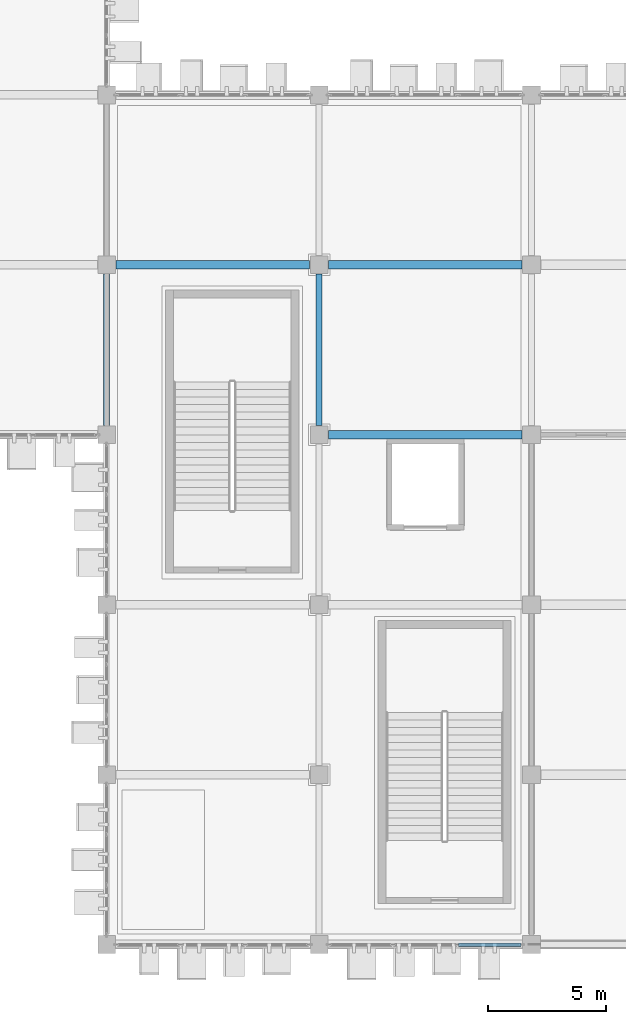
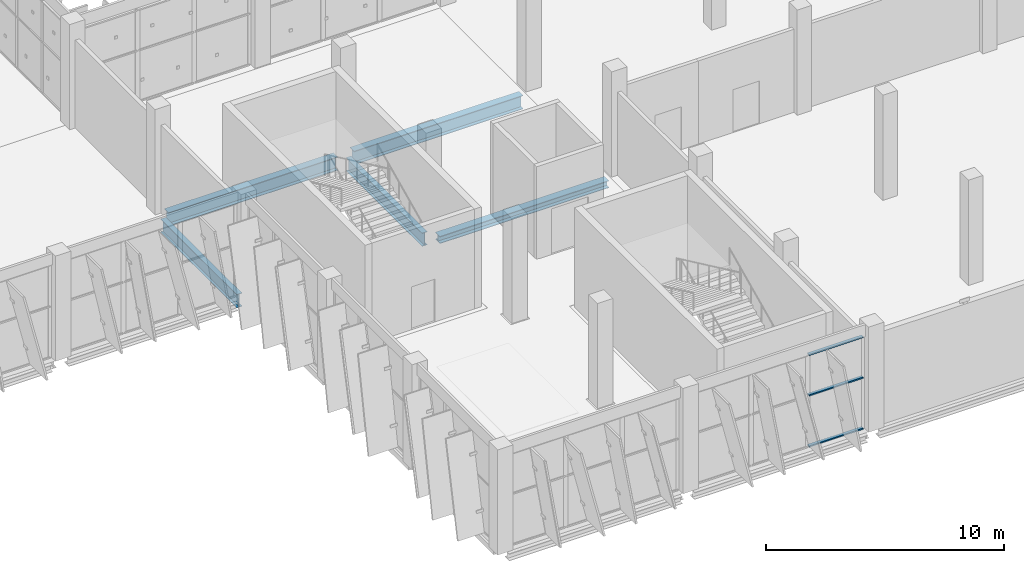
# One storey, part 48 of 189: 5 beams, 3 members, 1 element without a shape of its own.
"""IFC4 building model written with IfcOpenShell, lengths in metres."""

from ifc_helpers import new_model, si_unit, direction, frame, origin, origin_2d, place, context, subcontext, project, spatial, hollow_rectangle, i_section, extrude, material, layer, layer_set, material_profile, profile_set, type_object, element, aggregate, save


model = new_model("IFC4")

# Units and contexts
model_context = context("Model", 3, precision=1e-05, world=origin(), true_north=direction((0.0, 1.0)))
body_context = subcontext(model_context, "Body", "Model", "MODEL_VIEW")
ifc_project = project(units=[si_unit("LENGTHUNIT", "METRE"), si_unit("AREAUNIT", "SQUARE_METRE"), si_unit("VOLUMEUNIT", "CUBIC_METRE"), si_unit("PLANEANGLEUNIT", "RADIAN"), si_unit("MASSUNIT", "GRAM", prefix="KILO")], contexts=[model_context])

# Site, building, storey
site_placement = place(None, origin())
site = spatial("IfcSite", under=ifc_project, at=site_placement, CompositionType="ELEMENT")
building_placement = place(site_placement, origin())
building = spatial("IfcBuilding", under=site, at=building_placement, Name="Celestram Park Convention Centre", CompositionType="ELEMENT")
storey_placement = place(building_placement, frame((0.0, 0.0, 5.39990234375)))
storey = spatial("IfcBuildingStorey", under=building, at=storey_placement, Name="L01", CompositionType="ELEMENT", Elevation=5.39990234375)

# Curtain wall, members
ifc_material_1 = material(Name="Anodised Aluminium Alloy 6063-T6", Category="aluminium")
ifc_layer = layer(ifc_material_1, 0.179931640625)
ifc_layer_set = layer_set([ifc_layer], Name="Anodised Aluminium Alloy 6063-T6")
curtain_wall_type = type_object("IfcCurtainWallType", Name="ARC-CW-825X476", PredefinedType="NOTDEFINED", material=ifc_layer_set)
curtain_wall_placement = place(storey_placement, origin())
curtain_wall = element("IfcCurtainWall", 1, at=curtain_wall_placement, inside=storey, type_object=curtain_wall_type, Name="Unitised curtain wall CU-L01-111", PredefinedType="NOTDEFINED")
ifc_material_profile_1 = material_profile(ifc_material_1, hollow_rectangle(XDim=0.14990234375, YDim=0.06494140625, WallThickness=0.0029296875, at=origin_2d()), Name="ALU150X65X3")
ifc_profile_set_1 = profile_set([ifc_material_profile_1], Name="Anodised Aluminium Alloy 6063-T6")
member_type = type_object("IfcMemberType", Name="ARC-CWT-150", PredefinedType="USERDEFINED", material=ifc_profile_set_1)
member_1_placement = place(storey_placement, frame((161.552001953125, 0.0, 0.03271484375), z_axis=(-1.0, 0.0, 0.0), x_axis=(0.0, -1.0, 0.0)))
member_1 = element("IfcMember", 2, at=member_1_placement, type_object=member_type, Name="CW-82X47 transom 1.1", ObjectType="TRANSOM", PredefinedType="USERDEFINED", context=body_context, shape_type="SweptSolid", body=[
    extrude(hollow_rectangle(XDim=0.14990234375, YDim=0.06494140625, WallThickness=0.0029296875, at=origin_2d()), origin(), (0.0, 0.0, 1.0), 2.638916015625),
])
member_2_placement = place(storey_placement, frame((161.552001953125, 0.0, 2.650146484375), z_axis=(-1.0, 0.0, 0.0), x_axis=(0.0, -1.0, 0.0)))
member_2 = element("IfcMember", 3, at=member_2_placement, type_object=member_type, Name="CW-82X47 transom 1.2", ObjectType="TRANSOM", PredefinedType="USERDEFINED", context=body_context, shape_type="SweptSolid", body=[
    extrude(hollow_rectangle(XDim=0.14990234375, YDim=0.06494140625, WallThickness=0.0029296875, at=origin_2d()), origin(), (0.0, 0.0, 1.0), 2.638916015625),
])
member_3_placement = place(storey_placement, frame((161.552001953125, 0.0, 4.731689453125), z_axis=(-1.0, 0.0, 0.0), x_axis=(0.0, -1.0, 0.0)))
member_3 = element("IfcMember", 4, at=member_3_placement, type_object=member_type, Name="CW-82X47 transom 1.3", ObjectType="TRANSOM", PredefinedType="USERDEFINED", context=body_context, shape_type="SweptSolid", body=[
    extrude(hollow_rectangle(XDim=0.14990234375, YDim=0.06494140625, WallThickness=0.0029296875, at=origin_2d()), origin(), (0.0, 0.0, 1.0), 2.638916015625),
])
aggregate(curtain_wall, [member_1, member_2, member_3])

# Beams
ifc_material_2 = material(Name="Steel ASTM A992 Grade 50", Category="steel")
ifc_material_profile_2 = material_profile(ifc_material_2, i_section(OverallWidth=0.35595703125, OverallDepth=0.696044921875, WebThickness=0.015380859375, FlangeThickness=0.02490234375, at=origin_2d()), Name="W27X146")
ifc_profile_set_2 = profile_set([ifc_material_profile_2], Name="Steel ASTM A992 Grade 50")
beam_type_1 = type_object("IfcBeamType", Name="STR-BM-W27X146", PredefinedType="BEAM", material=ifc_profile_set_2)
for number, where, z_axis, x_axis, name in (
    (5, (144.39794921875, 28.800048828125, -0.6279296875), (1.0, 0.0, 0.0), (0.0, 1.0, 0.0), "Primary X-girder BG-L01-0332"),
    (6, (153.39794921875, 28.800048828125, -0.6279296875), (1.0, 0.0, 0.0), (0.0, 1.0, 0.0), "Primary X-girder BG-L01-0364"),
):
    element("IfcBeam", number, at=place(storey_placement, frame(where, z_axis=z_axis, x_axis=x_axis)), inside=storey, type_object=beam_type_1, Name=name, PredefinedType="BEAM", context=body_context, shape_type="SweptSolid", body=[
        extrude(i_section(OverallWidth=0.35595703125, OverallDepth=0.696044921875, WebThickness=0.015380859375, FlangeThickness=0.02490234375, at=origin_2d()), origin(), (0.0, 0.0, 1.0), 8.2041015625),
    ])
ifc_material_profile_3 = material_profile(ifc_material_2, i_section(OverallWidth=0.25390625, OverallDepth=0.68310546875, WebThickness=0.012451171875, FlangeThickness=0.01904296875, at=origin_2d()), Name="W27X94")
ifc_profile_set_3 = profile_set([ifc_material_profile_3], Name="Steel ASTM A992 Grade 50")
beam_type_2 = type_object("IfcBeamType", Name="STR-BM-W27X94", PredefinedType="BEAM", material=ifc_profile_set_3)
for number, where, z_axis, x_axis, name in (
    (7, (144.0, 21.998046875, -0.621337890625), (0.0, 1.0, 0.0), (-1.0, 0.0, 0.0), "Primary Y-girder BG-L01-0331"),
    (8, (153.0, 21.998046875, -0.621337890625), (0.0, 1.0, 0.0), (-1.0, 0.0, 0.0), "Primary Y-girder BG-L01-0363"),
):
    element("IfcBeam", number, at=place(storey_placement, frame(where, z_axis=z_axis, x_axis=x_axis)), inside=storey, type_object=beam_type_2, Name=name, PredefinedType="BEAM", context=body_context, shape_type="SweptSolid", body=[
        extrude(i_section(OverallWidth=0.25390625, OverallDepth=0.68310546875, WebThickness=0.012451171875, FlangeThickness=0.01904296875, at=origin_2d()), origin(), (0.0, 0.0, 1.0), 6.404052734375),
    ])
ifc_material_profile_4 = material_profile(ifc_material_2, i_section(OverallWidth=0.373046875, OverallDepth=0.373046875, WebThickness=0.016357421875, FlangeThickness=0.026123046875, at=origin_2d()), Name="W14X132")
ifc_profile_set_4 = profile_set([ifc_material_profile_4], Name="Steel ASTM A992 Grade 50")
beam_type_3 = type_object("IfcBeamType", Name="STR-SPN-W14X132", PredefinedType="SPANDREL", material=ifc_profile_set_4)
beam_placement = place(storey_placement, frame((153.39794921875, 21.60009765625, -0.46630859375), z_axis=(1.0, 0.0, 0.0), x_axis=(0.0, 1.0, 0.0)))
element("IfcBeam", 9, at=beam_placement, inside=storey, type_object=beam_type_3, Name="Primary X-girder BG-L01-0362", PredefinedType="SPANDREL", context=body_context, shape_type="SweptSolid", body=[
    extrude(i_section(OverallWidth=0.373046875, OverallDepth=0.373046875, WebThickness=0.016357421875, FlangeThickness=0.026123046875, at=origin_2d()), origin(), (0.0, 0.0, 1.0), 8.2041015625),
])

save(model, "model.ifc")
